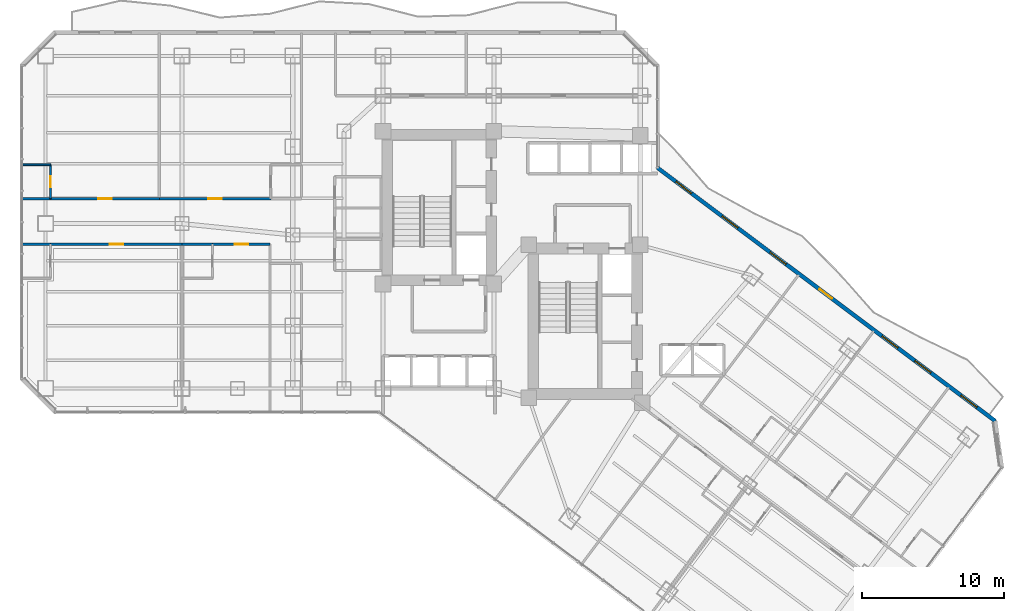
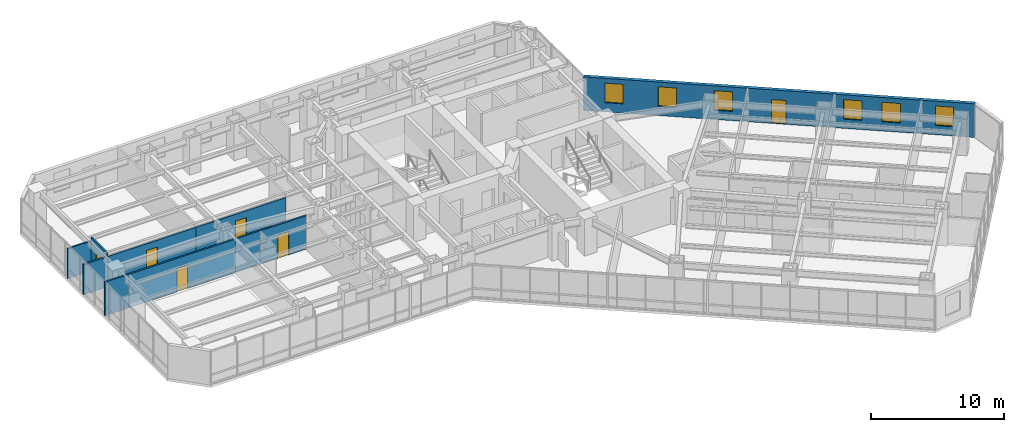
# One storey, part 30 of 39: 10 walls, 6 doors, 6 windows, 12 openings.
"""IFC4 building model written with IfcOpenShell, lengths in metres."""

from ifc_helpers import new_model, si_unit, direction, frame, frame_2d, origin, place, context, subcontext, project, spatial, rectangle, extrude, material, layer, layer_set, type_object, element, fill, save


model = new_model("IFC4")

# Units and contexts
model_context = context("Model", 3, precision=1e-05, world=origin(), true_north=direction((0.0, 1.0)))
body_context = subcontext(model_context, "Body", "Model", "MODEL_VIEW")
ifc_project = project(units=[si_unit("LENGTHUNIT", "METRE"), si_unit("AREAUNIT", "SQUARE_METRE"), si_unit("VOLUMEUNIT", "CUBIC_METRE"), si_unit("PLANEANGLEUNIT", "RADIAN"), si_unit("MASSUNIT", "GRAM", prefix="KILO")], contexts=[model_context])

# Site, building, storey
site_placement = place(None, origin())
site = spatial("IfcSite", under=ifc_project, at=site_placement, CompositionType="ELEMENT")
building_placement = place(site_placement, origin())
building = spatial("IfcBuilding", under=site, at=building_placement, Name="Hatsunagi Terrace Concourse", CompositionType="ELEMENT")
storey_placement = place(building_placement, frame((0.0, 0.0, 66.75)))
storey = spatial("IfcBuildingStorey", under=building, at=storey_placement, Name="L17", CompositionType="ELEMENT", Elevation=66.75)

# Wall, opening, door
ifc_material_1 = material(Name="Acoustic mineral board", Category="gypsum")
ifc_layer_1 = layer(ifc_material_1, 0.1201171875)
ifc_layer_set_1 = layer_set([ifc_layer_1], Name="PartitionWall_EI30_120")
wall_type_1 = type_object("IfcWallType", Name="PartitionWall_EI30_120", PredefinedType="PARTITIONING", material=ifc_layer_set_1)
wall_1_placement = place(storey_placement, frame((2.14990234375, 38.550048828125, 0.0), z_axis=(0.0, 0.0, 1.0), x_axis=(0.0, 1.0, 0.0)))
wall_1 = element("IfcWall", 1, at=wall_1_placement, inside=storey, type_object=wall_type_1, Name="Interior Partition IW-L17-046", PredefinedType="PARTITIONING", context=body_context, shape_type="SweptSolid", body=[
    extrude(rectangle(XDim=2.39990234375, YDim=0.1201171875, at=frame_2d((1.199951171875, 0.0))), origin(), (0.0, 0.0, 1.0), 3.090087890625),
])
opening_1_placement = place(wall_1_placement, frame((0.800048828125, 0.0, 0.0)))
opening_1 = element("IfcOpeningElement", 2, at=opening_1_placement, cuts=wall_1, Name="Opening DR-080", PredefinedType="OPENING", context=body_context, shape_type="SweptSolid", body=[
    extrude(rectangle(XDim=0.800048828125, YDim=2.06005859375, at=frame_2d((0.39990234375, 1.030029296875))), frame((0.0, 0.070068359375, 0.0), z_axis=(0.0, -1.0, 0.0), x_axis=(1.0, 0.0, 0.0)), (0.0, 0.0, 1.0), 0.14013671875),
])
ifc_material_2 = material(Name="Hardwood timber", Category="wood")
door_type_1 = type_object("IfcDoorType", Name="BathroomDoor_800", OperationType="NOTDEFINED", PredefinedType="DOOR", material=ifc_material_2)
door_1_placement = place(opening_1_placement, origin())
door_1 = element("IfcDoor", 3, at=door_1_placement, inside=storey, type_object=door_type_1, Name="En-Suite Bathroom L17-N1 Door", OperationType="SINGLE_SWING_RIGHT", OverallHeight=2.06005859375, OverallWidth=0.800048828125, PredefinedType="DOOR", context=body_context, shape_type="SweptSolid", body=[
    extrude(rectangle(XDim=0.800048828125, YDim=2.06005859375, at=frame_2d((0.39990234375, 1.030029296875))), frame((0.0, 0.02490234375, 0.0), z_axis=(0.0, -1.0, 0.0), x_axis=(1.0, 0.0, 0.0)), (0.0, 0.0, 1.0), 0.050048828125),
])
fill(opening_1, door_1)

# Walls
wall_2_placement = place(storey_placement, frame((0.0400390625, 40.949951171875, 0.0), z_axis=(0.0, 0.0, 1.0), x_axis=(1.0, 0.0, 0.0)))
element("IfcWall", 4, at=wall_2_placement, inside=storey, type_object=wall_type_1, Name="Interior Partition IW-L17-047", PredefinedType="PARTITIONING", context=body_context, shape_type="SweptSolid", body=[
    extrude(rectangle(XDim=2.10986328125, YDim=0.1201171875, at=frame_2d((1.054931640625, 0.0))), origin(), (0.0, 0.0, 1.0), 2.77490234375),
])
ifc_material_3 = material(Name="Acoustic mineral board", Category="gypsum")
ifc_layer_2 = layer(ifc_material_3, 0.14990234375)
ifc_layer_set_2 = layer_set([ifc_layer_2], Name="PartitionWall_EI60_150")
wall_type_2 = type_object("IfcWallType", Name="PartitionWall_EI60_150", PredefinedType="PARTITIONING", material=ifc_layer_set_2)
wall_3_placement = place(storey_placement, frame((0.0400390625, 38.550048828125, 0.0), z_axis=(0.0, 0.0, 1.0), x_axis=(1.0, 0.0, 0.0)))
element("IfcWall", 5, at=wall_3_placement, inside=storey, type_object=wall_type_2, Name="Interior Partition IW-L17-044", PredefinedType="PARTITIONING", context=body_context, shape_type="SweptSolid", body=[
    extrude(rectangle(XDim=2.10986328125, YDim=0.14990234375, at=frame_2d((1.054931640625, 0.0))), origin(), (0.0, 0.0, 1.0), 2.77490234375),
])

# Wall, opening, door
wall_4_placement = place(storey_placement, frame((2.14990234375, 38.550048828125, 0.0), z_axis=(0.0, 0.0, 1.0), x_axis=(1.0, 0.0, 0.0)))
wall_4 = element("IfcWall", 6, at=wall_4_placement, inside=storey, type_object=wall_type_2, Name="Interior Partition IW-L17-045", PredefinedType="PARTITIONING", context=body_context, shape_type="SweptSolid", body=[
    extrude(rectangle(XDim=7.650146484375, YDim=0.14990234375, at=frame_2d((3.8251953125, 0.0))), origin(), (0.0, 0.0, 1.0), 2.77490234375),
])
opening_2_placement = place(wall_4_placement, frame((3.35009765625, 0.0, 0.0)))
opening_2 = element("IfcOpeningElement", 7, at=opening_2_placement, cuts=wall_4, Name="Opening DR-095", PredefinedType="OPENING", context=body_context, shape_type="SweptSolid", body=[
    extrude(rectangle(XDim=0.949951171875, YDim=2.14990234375, at=frame_2d((0.47509765625, 1.074951171875))), frame((0.0, 0.0849609375, 0.0), z_axis=(0.0, -1.0, 0.0), x_axis=(1.0, 0.0, 0.0)), (0.0, 0.0, 1.0), 0.169921875),
])
ifc_material_4 = material(Name="Hardwood timber", Category="wood")
door_type_2 = type_object("IfcDoorType", Name="InteriorSuiteDoor_EI30_950", OperationType="NOTDEFINED", PredefinedType="DOOR", material=ifc_material_4)
door_2_placement = place(opening_2_placement, origin())
door_2 = element("IfcDoor", 8, at=door_2_placement, inside=storey, type_object=door_type_2, Name="Corner Hotel Suite L17-N1 Door", OperationType="SINGLE_SWING_LEFT", OverallHeight=2.14990234375, OverallWidth=0.949951171875, PredefinedType="DOOR", context=body_context, shape_type="SweptSolid", body=[
    extrude(rectangle(XDim=0.949951171875, YDim=2.14990234375, at=frame_2d((0.47509765625, 1.074951171875))), frame((0.0, 0.02490234375, 0.0), z_axis=(0.0, -1.0, 0.0), x_axis=(1.0, 0.0, 0.0)), (0.0, 0.0, 1.0), 0.050048828125),
])
fill(opening_2, door_2)

wall_5_placement = place(storey_placement, frame((9.800048828125, 38.550048828125, 0.0), z_axis=(0.0, 0.0, 1.0), x_axis=(1.0, 0.0, 0.0)))
wall_5 = element("IfcWall", 9, at=wall_5_placement, inside=storey, type_object=wall_type_2, Name="Interior Partition IW-L17-049", PredefinedType="PARTITIONING", context=body_context, shape_type="SweptSolid", body=[
    extrude(rectangle(XDim=7.849853515625, YDim=0.14990234375, at=frame_2d((3.9248046875, 0.0))), origin(), (0.0, 0.0, 1.0), 2.77490234375),
])
opening_3_placement = place(wall_5_placement, frame((3.449951171875, 0.0, 0.0)))
opening_3 = element("IfcOpeningElement", 10, at=opening_3_placement, cuts=wall_5, Name="Opening DR-095", PredefinedType="OPENING", context=body_context, shape_type="SweptSolid", body=[
    extrude(rectangle(XDim=0.949951171875, YDim=2.14990234375, at=frame_2d((0.47509765625, 1.074951171875))), frame((0.0, 0.0849609375, 0.0), z_axis=(0.0, -1.0, 0.0), x_axis=(1.0, 0.0, 0.0)), (0.0, 0.0, 1.0), 0.169921875),
])
door_3_placement = place(opening_3_placement, origin())
door_3 = element("IfcDoor", 11, at=door_3_placement, inside=storey, type_object=door_type_2, Name="Corner Hotel Suite L17-N2 Door", OperationType="SINGLE_SWING_LEFT", OverallHeight=2.14990234375, OverallWidth=0.949951171875, PredefinedType="DOOR", context=body_context, shape_type="SweptSolid", body=[
    extrude(rectangle(XDim=0.949951171875, YDim=2.14990234375, at=frame_2d((0.47509765625, 1.074951171875))), frame((0.0, 0.02490234375, 0.0), z_axis=(0.0, -1.0, 0.0), x_axis=(1.0, 0.0, 0.0)), (0.0, 0.0, 1.0), 0.050048828125),
])
fill(opening_3, door_3)

# Wall
wall_6_placement = place(storey_placement, frame((0.0400390625, 35.35009765625, 0.0), z_axis=(0.0, 0.0, 1.0), x_axis=(1.0, 0.0, 0.0)))
element("IfcWall", 12, at=wall_6_placement, inside=storey, type_object=wall_type_2, Name="Interior Partition IW-L17-054", PredefinedType="PARTITIONING", context=body_context, shape_type="SweptSolid", body=[
    extrude(rectangle(XDim=2.10986328125, YDim=0.14990234375, at=frame_2d((1.054931640625, 0.0))), origin(), (0.0, 0.0, 1.0), 3.090087890625),
])

# Wall, opening, door
wall_7_placement = place(storey_placement, frame((2.14990234375, 35.35009765625, 0.0), z_axis=(0.0, 0.0, 1.0), x_axis=(1.0, 0.0, 0.0)))
wall_7 = element("IfcWall", 13, at=wall_7_placement, inside=storey, type_object=wall_type_2, Name="Interior Partition IW-L17-055", PredefinedType="PARTITIONING", context=body_context, shape_type="SweptSolid", body=[
    extrude(rectangle(XDim=9.25, YDim=0.14990234375, at=frame_2d((4.625, 0.0))), origin(), (0.0, 0.0, 1.0), 3.090087890625),
])
opening_4_placement = place(wall_7_placement, frame((4.14990234375, 0.0, 0.0)))
opening_4 = element("IfcOpeningElement", 14, at=opening_4_placement, cuts=wall_7, Name="Opening DR-095", PredefinedType="OPENING", context=body_context, shape_type="SweptSolid", body=[
    extrude(rectangle(XDim=0.949951171875, YDim=2.14990234375, at=frame_2d((0.47509765625, 1.074951171875))), frame((0.0, 0.0849609375, 0.0), z_axis=(0.0, -1.0, 0.0), x_axis=(1.0, 0.0, 0.0)), (0.0, 0.0, 1.0), 0.169921875),
])
door_4_placement = place(opening_4_placement, origin())
door_4 = element("IfcDoor", 15, at=door_4_placement, inside=storey, type_object=door_type_2, Name="Corner Hotel Suite L17-S1 Door", OperationType="SINGLE_SWING_RIGHT", OverallHeight=2.14990234375, OverallWidth=0.949951171875, PredefinedType="DOOR", context=body_context, shape_type="SweptSolid", body=[
    extrude(rectangle(XDim=0.949951171875, YDim=2.14990234375, at=frame_2d((0.47509765625, 1.074951171875))), frame((0.0, 0.02490234375, 0.0), z_axis=(0.0, -1.0, 0.0), x_axis=(1.0, 0.0, 0.0)), (0.0, 0.0, 1.0), 0.050048828125),
])
fill(opening_4, door_4)

# Wall
wall_8_placement = place(storey_placement, frame((11.39990234375, 35.35009765625, 0.0), z_axis=(0.0, 0.0, 1.0), x_axis=(1.0, 0.0, 0.0)))
element("IfcWall", 16, at=wall_8_placement, inside=storey, type_object=wall_type_2, Name="Interior Partition IW-L17-059", PredefinedType="PARTITIONING", context=body_context, shape_type="SweptSolid", body=[
    extrude(rectangle(XDim=2.150146484375, YDim=0.14990234375, at=frame_2d((1.0751953125, 0.0))), origin(), (0.0, 0.0, 1.0), 3.090087890625),
])

# Wall, opening, door
wall_9_placement = place(storey_placement, frame((13.550048828125, 35.35009765625, 0.0), z_axis=(0.0, 0.0, 1.0), x_axis=(1.0, 0.0, 0.0)))
wall_9 = element("IfcWall", 17, at=wall_9_placement, inside=storey, type_object=wall_type_2, Name="Interior Partition IW-L17-060", PredefinedType="PARTITIONING", context=body_context, shape_type="SweptSolid", body=[
    extrude(rectangle(XDim=4.050048828125, YDim=0.14990234375, at=frame_2d((2.02490234375, 0.0))), origin(), (0.0, 0.0, 1.0), 3.090087890625),
])
opening_5_placement = place(wall_9_placement, frame((1.550048828125, 0.0, 0.0)))
opening_5 = element("IfcOpeningElement", 18, at=opening_5_placement, cuts=wall_9, Name="Opening DR-095", PredefinedType="OPENING", context=body_context, shape_type="SweptSolid", body=[
    extrude(rectangle(XDim=0.949951171875, YDim=2.14990234375, at=frame_2d((0.47509765625, 1.074951171875))), frame((0.0, 0.0849609375, 0.0), z_axis=(0.0, -1.0, 0.0), x_axis=(1.0, 0.0, 0.0)), (0.0, 0.0, 1.0), 0.169921875),
])
door_5_placement = place(opening_5_placement, origin())
door_5 = element("IfcDoor", 19, at=door_5_placement, inside=storey, type_object=door_type_2, Name="Hotel Guest Room L17-S2 Door", OperationType="SINGLE_SWING_RIGHT", OverallHeight=2.14990234375, OverallWidth=0.949951171875, PredefinedType="DOOR", context=body_context, shape_type="SweptSolid", body=[
    extrude(rectangle(XDim=0.949951171875, YDim=2.14990234375, at=frame_2d((0.47509765625, 1.074951171875))), frame((0.0, 0.02490234375, 0.0), z_axis=(0.0, -1.0, 0.0), x_axis=(1.0, 0.0, 0.0)), (0.0, 0.0, 1.0), 0.050048828125),
])
fill(opening_5, door_5)

# Wall, openings, door, windows
ifc_material_5 = material(Name="Autoclaved Lightweight Concrete and Terracotta Cladding", Category="masonry")
ifc_layer_3 = layer(ifc_material_5, 0.280029296875)
ifc_layer_set_3 = layer_set([ifc_layer_3], Name="TerracottaSpandrelWall_280")
wall_type_3 = type_object("IfcWallType", Name="TerracottaSpandrelWall_280", PredefinedType="STANDARD", material=ifc_layer_set_3)
wall_10_placement = place(storey_placement, frame((44.860107421875, 40.72998046875, 0.0), z_axis=(0.0, 0.0, 1.0), x_axis=(0.800006902154, -0.599990797017, 0.0)))
wall_10 = element("IfcWall", 20, at=wall_10_placement, inside=storey, type_object=wall_type_3, Name="Exterior Spandrel Wall EW-L17-01", PredefinedType="STANDARD", context=body_context, shape_type="SweptSolid", body=[
    extrude(rectangle(XDim=29.7119140625, YDim=0.280029296875, at=frame_2d((14.85595703125, 0.0))), origin(), (0.0, 0.0, 1.0), 3.090087890625),
])
opening_6_placement = place(wall_10_placement, frame((14.2490234375, 0.0, 0.0)))
opening_6 = element("IfcOpeningElement", 21, at=opening_6_placement, cuts=wall_10, Name="Opening BD-01", PredefinedType="OPENING", context=body_context, shape_type="SweptSolid", body=[
    extrude(rectangle(XDim=1.10009765625, YDim=2.199951171875, at=frame_2d((0.550048828125, 1.10009765625))), frame((0.0, 0.14990234375, 0.0), z_axis=(0.0, -1.0, 0.0), x_axis=(1.0, 0.0, 0.0)), (0.0, 0.0, 1.0), 0.300048828125),
])
opening_7_placement = place(wall_10_placement, frame((1.612060546875, 0.0, 0.85009765625)))
opening_7 = element("IfcOpeningElement", 22, at=opening_7_placement, cuts=wall_10, Name="Opening WIN-02", PredefinedType="OPENING", context=body_context, shape_type="SweptSolid", body=[
    extrude(rectangle(XDim=1.39990234375, YDim=1.800048828125, at=frame_2d((0.699951171875, 0.89990234375))), frame((0.0, 0.14990234375, 0.0), z_axis=(0.0, -1.0, 0.0), x_axis=(1.0, 0.0, 0.0)), (0.0, 0.0, 1.0), 0.300048828125),
])
opening_8_placement = place(wall_10_placement, frame((5.6669921875, 0.0, 0.85009765625)))
opening_8 = element("IfcOpeningElement", 23, at=opening_8_placement, cuts=wall_10, Name="Opening WIN-02", PredefinedType="OPENING", context=body_context, shape_type="SweptSolid", body=[
    extrude(rectangle(XDim=1.39990234375, YDim=1.800048828125, at=frame_2d((0.699951171875, 0.89990234375))), frame((0.0, 0.14990234375, 0.0), z_axis=(0.0, -1.0, 0.0), x_axis=(1.0, 0.0, 0.0)), (0.0, 0.0, 1.0), 0.300048828125),
])
opening_9_placement = place(wall_10_placement, frame((9.912109375, 0.0, 0.85009765625)))
opening_9 = element("IfcOpeningElement", 24, at=opening_9_placement, cuts=wall_10, Name="Opening WIN-02", PredefinedType="OPENING", context=body_context, shape_type="SweptSolid", body=[
    extrude(rectangle(XDim=1.39990234375, YDim=1.800048828125, at=frame_2d((0.699951171875, 0.89990234375))), frame((0.0, 0.14990234375, 0.0), z_axis=(0.0, -1.0, 0.0), x_axis=(1.0, 0.0, 0.0)), (0.0, 0.0, 1.0), 0.300048828125),
])
opening_10_placement = place(wall_10_placement, frame((19.742919921875, 0.0, 0.85009765625)))
opening_10 = element("IfcOpeningElement", 25, at=opening_10_placement, cuts=wall_10, Name="Opening WIN-02", PredefinedType="OPENING", context=body_context, shape_type="SweptSolid", body=[
    extrude(rectangle(XDim=1.39990234375, YDim=1.800048828125, at=frame_2d((0.699951171875, 0.89990234375))), frame((0.0, 0.14990234375, 0.0), z_axis=(0.0, -1.0, 0.0), x_axis=(1.0, 0.0, 0.0)), (0.0, 0.0, 1.0), 0.300048828125),
])
opening_11_placement = place(wall_10_placement, frame((22.64501953125, 0.0, 0.85009765625)))
opening_11 = element("IfcOpeningElement", 26, at=opening_11_placement, cuts=wall_10, Name="Opening WIN-02", PredefinedType="OPENING", context=body_context, shape_type="SweptSolid", body=[
    extrude(rectangle(XDim=1.39990234375, YDim=1.800048828125, at=frame_2d((0.699951171875, 0.89990234375))), frame((0.0, 0.14990234375, 0.0), z_axis=(0.0, -1.0, 0.0), x_axis=(1.0, 0.0, 0.0)), (0.0, 0.0, 1.0), 0.300048828125),
])
opening_12_placement = place(wall_10_placement, frame((26.699951171875, 0.0, 0.85009765625)))
opening_12 = element("IfcOpeningElement", 27, at=opening_12_placement, cuts=wall_10, Name="Opening WIN-02", PredefinedType="OPENING", context=body_context, shape_type="SweptSolid", body=[
    extrude(rectangle(XDim=1.39990234375, YDim=1.800048828125, at=frame_2d((0.699951171875, 0.89990234375))), frame((0.0, 0.14990234375, 0.0), z_axis=(0.0, -1.0, 0.0), x_axis=(1.0, 0.0, 0.0)), (0.0, 0.0, 1.0), 0.300048828125),
])
ifc_material_6 = material(Name="Galvanised Steel and Laminated Safety Glass", Category="steel")
door_type_3 = type_object("IfcDoorType", Name="BalconyTerraceAccessDoor_1100x2200", OperationType="SINGLE_SWING_LEFT", PredefinedType="DOOR", material=ifc_material_6)
door_6_placement = place(opening_6_placement, origin())
door_6 = element("IfcDoor", 28, at=door_6_placement, inside=storey, type_object=door_type_3, Name="Engawa Balcony Door L17-BSE", OperationType="SINGLE_SWING_LEFT", OverallHeight=2.199951171875, OverallWidth=1.10009765625, PredefinedType="DOOR", context=body_context, shape_type="SweptSolid", body=[
    extrude(rectangle(XDim=1.10009765625, YDim=2.199951171875, at=frame_2d((0.550048828125, 1.10009765625))), frame((0.0, 0.02490234375, 0.0), z_axis=(0.0, -1.0, 0.0), x_axis=(1.0, 0.0, 0.0)), (0.0, 0.0, 1.0), 0.050048828125),
])
fill(opening_6, door_6)
ifc_material_7 = material(Name="Thermally Broken Aluminium and Low-E Triple Glazing", Category="aluminium")
window_type = type_object("IfcWindowType", Name="HotelOperableVentWindow_1400x1800", PartitioningType="DOUBLE_PANEL_VERTICAL", PredefinedType="WINDOW", material=ifc_material_7)
window_1_placement = place(opening_7_placement, origin())
window_1 = element("IfcWindow", 29, at=window_1_placement, inside=storey, type_object=window_type, Name="Balcony Daylighting Window L17-01-1", OverallHeight=1.800048828125, OverallWidth=1.39990234375, PartitioningType="SINGLE_PANEL", PredefinedType="WINDOW", context=body_context, shape_type="SweptSolid", body=[
    extrude(rectangle(XDim=1.39990234375, YDim=1.800048828125, at=frame_2d((0.699951171875, 0.89990234375))), frame((0.0, 0.030029296875, 0.0), z_axis=(0.0, -1.0, 0.0), x_axis=(1.0, 0.0, 0.0)), (0.0, 0.0, 1.0), 0.06005859375),
])
fill(opening_7, window_1)
window_2_placement = place(opening_8_placement, origin())
window_2 = element("IfcWindow", 30, at=window_2_placement, inside=storey, type_object=window_type, Name="Balcony Daylighting Window L17-01-2", OverallHeight=1.800048828125, OverallWidth=1.39990234375, PartitioningType="SINGLE_PANEL", PredefinedType="WINDOW", context=body_context, shape_type="SweptSolid", body=[
    extrude(rectangle(XDim=1.39990234375, YDim=1.800048828125, at=frame_2d((0.699951171875, 0.89990234375))), frame((0.0, 0.030029296875, 0.0), z_axis=(0.0, -1.0, 0.0), x_axis=(1.0, 0.0, 0.0)), (0.0, 0.0, 1.0), 0.06005859375),
])
fill(opening_8, window_2)
window_3_placement = place(opening_9_placement, origin())
window_3 = element("IfcWindow", 31, at=window_3_placement, inside=storey, type_object=window_type, Name="Balcony Daylighting Window L17-01-3", OverallHeight=1.800048828125, OverallWidth=1.39990234375, PartitioningType="SINGLE_PANEL", PredefinedType="WINDOW", context=body_context, shape_type="SweptSolid", body=[
    extrude(rectangle(XDim=1.39990234375, YDim=1.800048828125, at=frame_2d((0.699951171875, 0.89990234375))), frame((0.0, 0.030029296875, 0.0), z_axis=(0.0, -1.0, 0.0), x_axis=(1.0, 0.0, 0.0)), (0.0, 0.0, 1.0), 0.06005859375),
])
fill(opening_9, window_3)
window_4_placement = place(opening_10_placement, origin())
window_4 = element("IfcWindow", 32, at=window_4_placement, inside=storey, type_object=window_type, Name="Balcony Daylighting Window L17-01-5", OverallHeight=1.800048828125, OverallWidth=1.39990234375, PartitioningType="SINGLE_PANEL", PredefinedType="WINDOW", context=body_context, shape_type="SweptSolid", body=[
    extrude(rectangle(XDim=1.39990234375, YDim=1.800048828125, at=frame_2d((0.699951171875, 0.89990234375))), frame((0.0, 0.030029296875, 0.0), z_axis=(0.0, -1.0, 0.0), x_axis=(1.0, 0.0, 0.0)), (0.0, 0.0, 1.0), 0.06005859375),
])
fill(opening_10, window_4)
window_5_placement = place(opening_11_placement, origin())
window_5 = element("IfcWindow", 33, at=window_5_placement, inside=storey, type_object=window_type, Name="Balcony Daylighting Window L17-01-6", OverallHeight=1.800048828125, OverallWidth=1.39990234375, PartitioningType="SINGLE_PANEL", PredefinedType="WINDOW", context=body_context, shape_type="SweptSolid", body=[
    extrude(rectangle(XDim=1.39990234375, YDim=1.800048828125, at=frame_2d((0.699951171875, 0.89990234375))), frame((0.0, 0.030029296875, 0.0), z_axis=(0.0, -1.0, 0.0), x_axis=(1.0, 0.0, 0.0)), (0.0, 0.0, 1.0), 0.06005859375),
])
fill(opening_11, window_5)
window_6_placement = place(opening_12_placement, origin())
window_6 = element("IfcWindow", 34, at=window_6_placement, inside=storey, type_object=window_type, Name="Balcony Daylighting Window L17-01-7", OverallHeight=1.800048828125, OverallWidth=1.39990234375, PartitioningType="SINGLE_PANEL", PredefinedType="WINDOW", context=body_context, shape_type="SweptSolid", body=[
    extrude(rectangle(XDim=1.39990234375, YDim=1.800048828125, at=frame_2d((0.699951171875, 0.89990234375))), frame((0.0, 0.030029296875, 0.0), z_axis=(0.0, -1.0, 0.0), x_axis=(1.0, 0.0, 0.0)), (0.0, 0.0, 1.0), 0.06005859375),
])
fill(opening_12, window_6)

save(model, "model.ifc")
